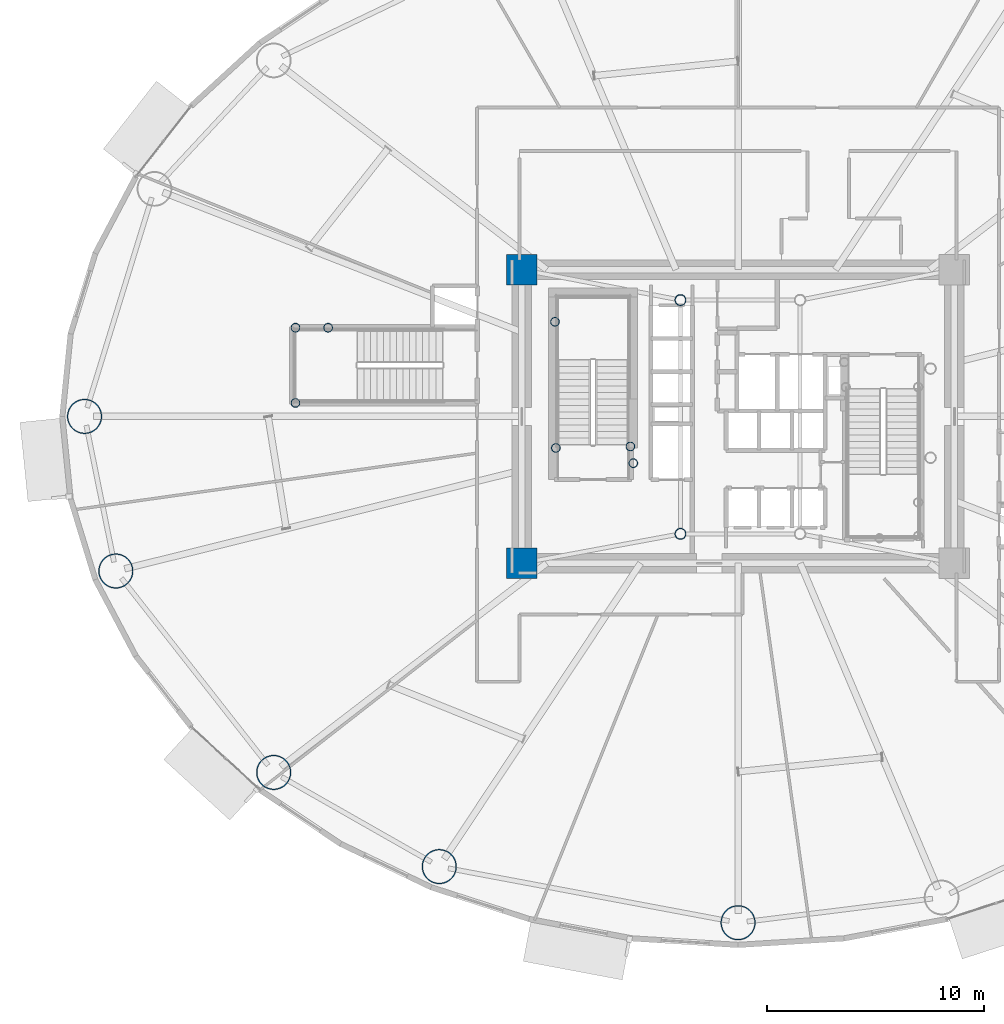
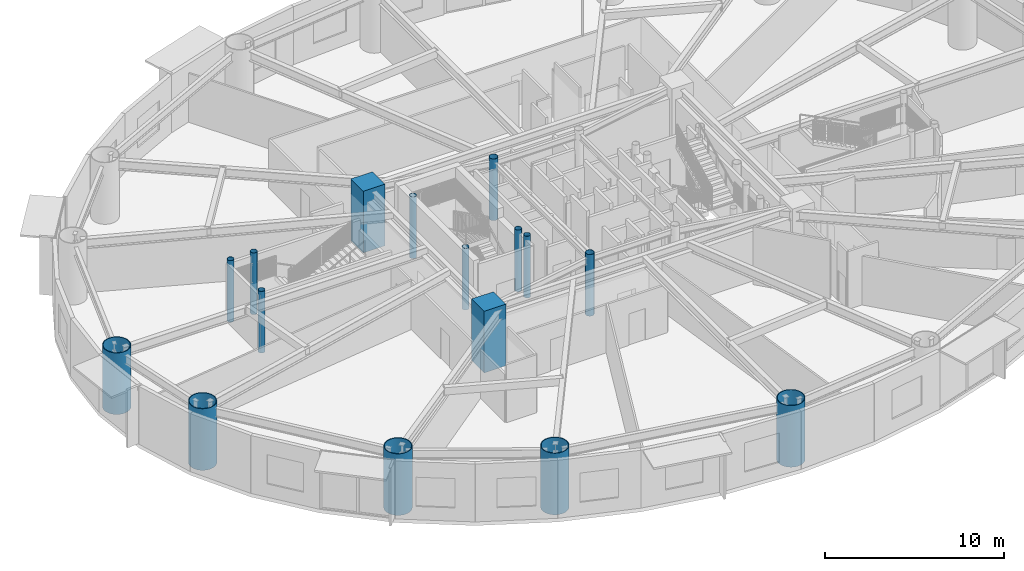
# One storey, part 1 of 35: 16 columns.
"""IFC4 building model written with IfcOpenShell, lengths in metres."""

from ifc_helpers import new_model, si_unit, direction, frame, origin, origin_2d, place, context, subcontext, project, spatial, rectangle, hollow_circle, extrude, material, material_profile, profile_set, type_object, element, save


model = new_model("IFC4")

# Units and contexts
model_context = context("Model", 3, precision=1e-05, world=origin(), true_north=direction((0.0, 1.0)))
body_context = subcontext(model_context, "Body", "Model", "MODEL_VIEW")
ifc_project = project(units=[si_unit("LENGTHUNIT", "METRE"), si_unit("AREAUNIT", "SQUARE_METRE"), si_unit("VOLUMEUNIT", "CUBIC_METRE"), si_unit("PLANEANGLEUNIT", "RADIAN"), si_unit("MASSUNIT", "GRAM", prefix="KILO")], contexts=[model_context])

# Site, building, storey
site_placement = place(None, origin())
site = spatial("IfcSite", under=ifc_project, at=site_placement, CompositionType="ELEMENT")
building_placement = place(site_placement, origin())
building = spatial("IfcBuilding", under=site, at=building_placement, Name="Linh Dai School and Residence Tower", CompositionType="ELEMENT")
storey_placement = place(building_placement, frame((0.0, 0.0, 49.199951171875)))
storey = spatial("IfcBuildingStorey", under=building, at=storey_placement, Name="L11", CompositionType="ELEMENT", Elevation=49.199951171875)

# Columns
ifc_material_1 = material(Name="Concrete B60 (C50/60)", Category="concrete")
ifc_material_profile_1 = material_profile(ifc_material_1, rectangle(XDim=1.39990234375, YDim=1.39990234375, at=origin_2d()), Name="RC 1400x1400")
ifc_profile_set_1 = profile_set([ifc_material_profile_1], Name="Concrete B60 (C50/60)")
column_type_1 = type_object("IfcColumnType", Name="COL-CC1", PredefinedType="COLUMN", material=ifc_profile_set_1)
for number, where, z_axis, x_axis, name in (
    (1, (26.050048828125, 20.25, 0.0), (0.0, 0.0, 1.0), (1.0, 0.0, 0.0), "L11 Core Corner Pier CC1"),
    (2, (26.050048828125, 33.75, 0.0), (0.0, 0.0, 1.0), (1.0, 0.0, 0.0), "L11 Core Corner Pier CC4"),
):
    element("IfcColumn", number, at=place(storey_placement, frame(where, z_axis=z_axis, x_axis=x_axis)), inside=storey, type_object=column_type_1, Name=name, PredefinedType="COLUMN", context=body_context, shape_type="SweptSolid", body=[
        extrude(rectangle(XDim=1.39990234375, YDim=1.39990234375, at=origin_2d()), origin(), (0.0, 0.0, 1.0), 4.199951171875),
    ])
ifc_material_2 = material(Name="Structural Steel S355JR", Category="steel")
ifc_material_profile_2 = material_profile(ifc_material_2, hollow_circle(Radius=0.203125, WallThickness=0.01611328125, at=origin_2d()), Name="CHS 406.4x16")
ifc_profile_set_2 = profile_set([ifc_material_profile_2], Name="Structural Steel S355JR")
column_type_2 = type_object("IfcColumnType", Name="COL-EC", PredefinedType="COLUMN", material=ifc_profile_set_2)
for number, where, z_axis, x_axis, name in (
    (3, (27.580078125, 31.35009765625, 0.0), (0.0, 0.0, 1.0), (1.0, 0.0, 0.0), "L11 Stair Shaft Landing Support Pier ST1NW"),
    (4, (31.050048828125, 25.6201171875, 0.0), (0.0, 0.0, 1.0), (1.0, 0.0, 0.0), "L11 Stair Shaft Landing Support Pier ST1SE"),
    (5, (31.179931640625, 24.85009765625, 0.0), (0.0, 0.0, 1.0), (1.0, 0.0, 0.0), "L11 Stair Shaft Landing Support Pier ST1SM"),
    (6, (27.6201171875, 25.550048828125, 0.0), (0.0, 0.0, 1.0), (1.0, 0.0, 0.0), "L11 Stair Shaft Landing Support Pier ST1SW"),
    (7, (15.64990234375, 27.6201171875, 0.0), (0.0, 0.0, 1.0), (1.0, 0.0, 0.0), "L11 Stair Shaft Landing Support Pier STS1SW"),
    (8, (15.64990234375, 31.080078125, 0.0), (0.0, 0.0, 1.0), (1.0, 0.0, 0.0), "L11 Stair Shaft Landing Support Pier STS1NW"),
    (9, (17.14990234375, 31.080078125, 0.0), (0.0, 0.0, 1.0), (1.0, 0.0, 0.0), "L11 Stair Shaft Landing Support Pier STS1ME"),
):
    element("IfcColumn", number, at=place(storey_placement, frame(where, z_axis=z_axis, x_axis=x_axis)), inside=storey, type_object=column_type_2, Name=name, PredefinedType="COLUMN", context=body_context, shape_type="SweptSolid", body=[
        extrude(hollow_circle(Radius=0.203125, WallThickness=0.01611328125, at=origin_2d()), origin(), (0.0, 0.0, 1.0), 4.199951171875),
    ])
ifc_material_profile_3 = material_profile(ifc_material_2, hollow_circle(Radius=0.800048828125, WallThickness=0.044921875, at=origin_2d()), Name="CHS 1600x45")
ifc_profile_set_3 = profile_set([ifc_material_profile_3], Name="Structural Steel S355JR")
column_type_3 = type_object("IfcColumnType", Name="COL-MC2", PredefinedType="COLUMN", material=ifc_profile_set_3)
for number, where, z_axis, x_axis, name in (
    (10, (5.949951171875, 27.0, 0.0), (0.0, 0.0, 1.0), (1.0, 0.0, 0.0), "L11 Perimeter CFT Mega-Column MC09"),
    (11, (7.38916015625, 19.891357421875, 0.0), (0.0, 0.0, 1.0), (1.0, 0.0, 0.0), "L11 Perimeter CFT Mega-Column MC10"),
    (12, (14.647216796875, 10.630859375, 0.0), (0.0, 0.0, 1.0), (1.0, 0.0, 0.0), "L11 Perimeter CFT Mega-Column MC11"),
    (13, (22.26171875, 6.30078125, 0.0), (0.0, 0.0, 1.0), (1.0, 0.0, 0.0), "L11 Perimeter CFT Mega-Column MC12"),
    (14, (36.0, 3.719970703125, 0.0), (0.0, 0.0, 1.0), (1.0, 0.0, 0.0), "L11 Perimeter CFT Mega-Column MC13"),
):
    element("IfcColumn", number, at=place(storey_placement, frame(where, z_axis=z_axis, x_axis=x_axis)), inside=storey, type_object=column_type_3, Name=name, PredefinedType="COLUMN", context=body_context, shape_type="SweptSolid", body=[
        extrude(hollow_circle(Radius=0.800048828125, WallThickness=0.044921875, at=origin_2d()), origin(), (0.0, 0.0, 1.0), 4.199951171875),
    ])
ifc_material_profile_4 = material_profile(ifc_material_2, hollow_circle(Radius=0.25390625, WallThickness=0.02001953125, at=origin_2d()), Name="CHS 508x20")
ifc_profile_set_4 = profile_set([ifc_material_profile_4], Name="Structural Steel S355JR")
column_type_4 = type_object("IfcColumnType", Name="COL-MCP", PredefinedType="COLUMN", material=ifc_profile_set_4)
for number, where, z_axis, x_axis, name in (
    (15, (33.35009765625, 21.60009765625, 0.0), (0.0, 0.0, 1.0), (1.0, 0.0, 0.0), "L11 Core Mast Support Pier MCP1"),
    (16, (33.35009765625, 32.35009765625, 0.0), (0.0, 0.0, 1.0), (1.0, 0.0, 0.0), "L11 Core Mast Support Pier MCP4"),
):
    element("IfcColumn", number, at=place(storey_placement, frame(where, z_axis=z_axis, x_axis=x_axis)), inside=storey, type_object=column_type_4, Name=name, PredefinedType="COLUMN", context=body_context, shape_type="SweptSolid", body=[
        extrude(hollow_circle(Radius=0.25390625, WallThickness=0.02001953125, at=origin_2d()), origin(), (0.0, 0.0, 1.0), 4.199951171875),
    ])

save(model, "model.ifc")
